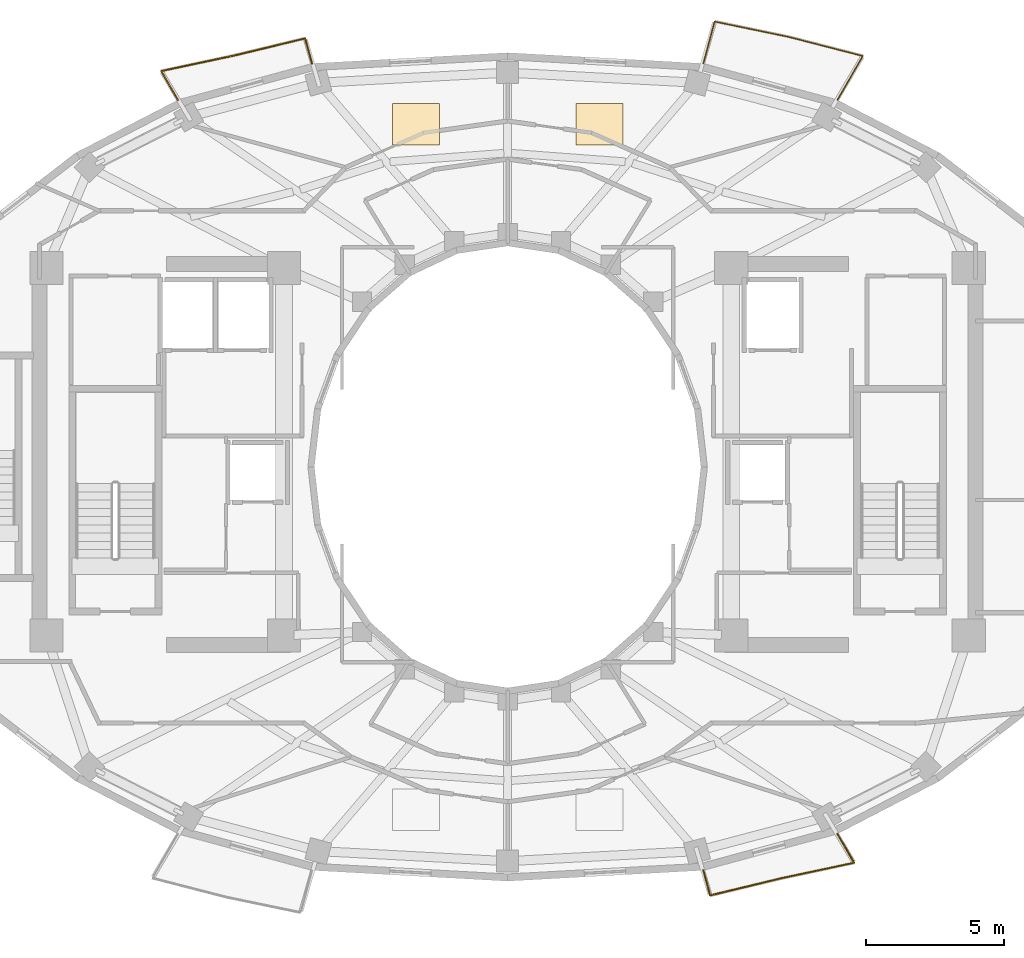
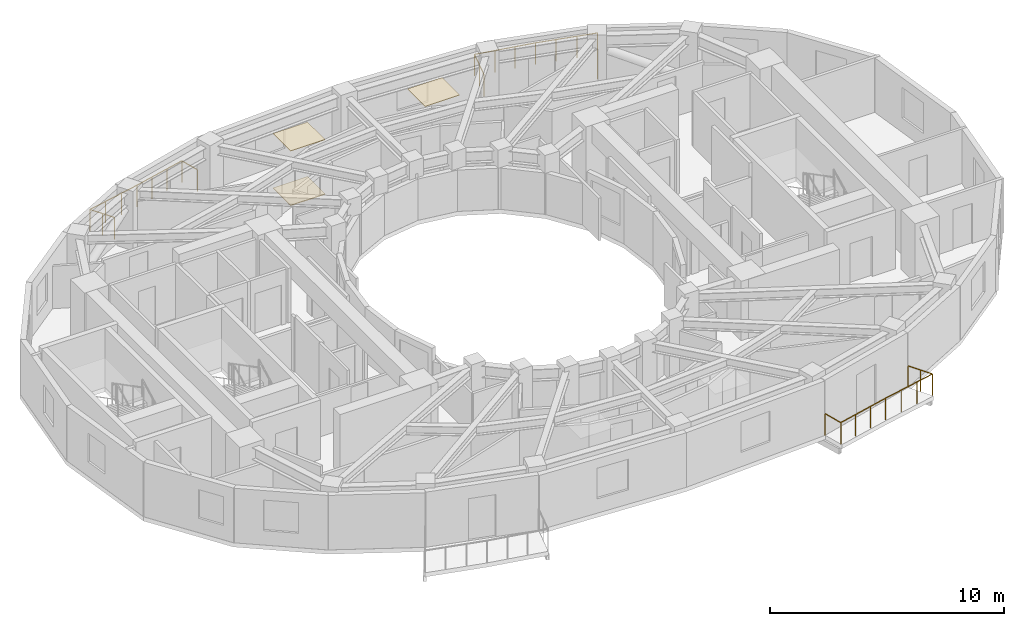
# One storey, part 9 of 10: 3 coverings, 3 railings.
"""IFC4 building model written with IfcOpenShell, lengths in metres."""

from ifc_helpers import new_model, si_unit, direction, frame, origin, origin_2d, place, context, subcontext, project, spatial, polyline, circle, outline, extrude, material, layer, layer_set, type_object, element, save


model = new_model("IFC4")

# Units and contexts
model_context = context("Model", 3, precision=1e-05, world=origin(), true_north=direction((0.0, 1.0)))
body_context = subcontext(model_context, "Body", "Model", "MODEL_VIEW")
ifc_project = project(units=[si_unit("LENGTHUNIT", "METRE"), si_unit("AREAUNIT", "SQUARE_METRE"), si_unit("VOLUMEUNIT", "CUBIC_METRE"), si_unit("PLANEANGLEUNIT", "RADIAN"), si_unit("MASSUNIT", "GRAM", prefix="KILO")], contexts=[model_context])

# Site, building, storey
site_placement = place(None, origin())
site = spatial("IfcSite", under=ifc_project, at=site_placement, CompositionType="ELEMENT")
building_placement = place(site_placement, origin())
building = spatial("IfcBuilding", under=site, at=building_placement, Name="Solvane Sanctuary Tower", CompositionType="ELEMENT")
storey_placement = place(building_placement, frame((0.0, 0.0, 204.699951171875)))
storey = spatial("IfcBuildingStorey", under=building, at=storey_placement, Name="L62", CompositionType="ELEMENT", Elevation=204.699951171875)

# Coverings
ifc_material_1 = material(Name="Acoustic Gypsum Partition Board")
ifc_layer_1 = layer(ifc_material_1, 0.02490234375, Name="Acoustic Gypsum Partition Board")
ifc_layer_set_1 = layer_set([ifc_layer_1], Name="Acoustic Gypsum Partition Board")
covering_type_1 = type_object("IfcCoveringType", Name="Covering CLG-ACOUST", PredefinedType="CEILING", material=ifc_layer_set_1)
covering_1_placement = place(storey_placement, frame((0.0, 0.0, 2.85009765625)))
element("IfcCovering", 1, at=covering_1_placement, inside=storey, type_object=covering_type_1, Name="L62 Unit Acoustic Ceiling Panel 1", PredefinedType="CEILING", context=body_context, shape_type="SweptSolid", body=[
    extrude(outline(polyline([(34.47607421875, 34.662109375), (36.176025390625, 34.662109375), (36.176025390625, 36.162109375), (34.47607421875, 36.162109375), (34.47607421875, 34.662109375)])), origin(), (0.0, 0.0, 1.0), 0.030029296875),
])
covering_2_placement = place(storey_placement, frame((0.0, 0.0, 2.85009765625)))
element("IfcCovering", 2, at=covering_2_placement, inside=storey, type_object=covering_type_1, Name="L62 Unit Acoustic Ceiling Panel 2", PredefinedType="CEILING", context=body_context, shape_type="SweptSolid", body=[
    extrude(outline(polyline([(27.823974609375, 34.662109375), (29.52392578125, 34.662109375), (29.52392578125, 36.162109375), (27.823974609375, 36.162109375), (27.823974609375, 34.662109375)])), origin(), (0.0, 0.0, 1.0), 0.030029296875),
])
ifc_material_2 = material(Name="Ceramic Tile Finish")
ifc_layer_2 = layer(ifc_material_2, 0.030029296875, Name="Ceramic Tile Finish")
ifc_layer_set_2 = layer_set([ifc_layer_2], Name="Ceramic Tile Finish")
covering_type_2 = type_object("IfcCoveringType", Name="Covering FLR-TERRAZZO", PredefinedType="FLOORING", material=ifc_layer_set_2)
covering_3_placement = place(storey_placement, origin())
element("IfcCovering", 3, at=covering_3_placement, inside=storey, type_object=covering_type_2, Name="L62 Unit Terrazzo Inlay 2", PredefinedType="FLOORING", context=body_context, shape_type="SweptSolid", body=[
    extrude(outline(polyline([(27.823974609375, 34.662109375), (29.52392578125, 34.662109375), (29.52392578125, 36.162109375), (27.823974609375, 36.162109375), (27.823974609375, 34.662109375)])), origin(), (0.0, 0.0, 1.0), 0.03515625),
])

# Railings
ifc_material_3 = material(Name="Architectural Stainless Steel 316", Category="steel")
railing_type = type_object("IfcRailingType", Name="Railing GR-BALC-1150", PredefinedType="BALUSTRADE", material=ifc_material_3)
railing_1_placement = place(storey_placement, frame((43.946044921875, 36.29052734375, 0.0)))
element("IfcRailing", 4, at=railing_1_placement, inside=storey, type_object=railing_type, Name="L62 Wave Balcony Balustrade N1", PredefinedType="BALUSTRADE", context=body_context, shape_type="SweptSolid", body=[
    extrude(circle(Radius=0.02392578125, at=origin_2d()), frame((0.0, 0.0, 1.1259765625), z_axis=(0.5000827969, 0.865977595694, 0.0), x_axis=(-0.865977595694, 0.5000827969, 0.0)), (0.0, 0.0, 1.0), 1.837646484375),
    extrude(circle(Radius=0.02392578125, at=origin_2d()), frame((0.9189453125, 1.59130859375, 1.1259765625), z_axis=(-0.968457008619, 0.249180702418, 0.0), x_axis=(-0.249180702418, -0.968457008619, 0.0)), (0.0, 0.0, 1.0), 2.763916015625),
    extrude(circle(Radius=0.02392578125, at=origin_2d()), frame((-1.7578125, 2.280029296875, 1.1259765625), z_axis=(-0.979173479135, 0.203025362355, 0.0), x_axis=(-0.203025362355, -0.979173479135, 0.0)), (0.0, 0.0, 1.0), 2.750244140625),
    extrude(circle(Radius=0.02392578125, at=origin_2d()), frame((-4.45068359375, 2.83837890625, 1.1259765625), z_axis=(-0.258860199722, -0.965914798002, 0.0), x_axis=(0.965914798002, -0.258860199722, 0.0)), (0.0, 0.0, 1.0), 1.5732421875),
    extrude(circle(Radius=0.02099609375, at=origin_2d()), origin(), (0.0, 0.0, 1.0), 1.101806640625),
    extrude(circle(Radius=0.02099609375, at=origin_2d()), frame((0.45947265625, 0.795654296875, 0.0)), (0.0, 0.0, 1.0), 1.101806640625),
    extrude(circle(Radius=0.02099609375, at=origin_2d()), frame((0.9189453125, 1.59130859375, 0.0)), (0.0, 0.0, 1.0), 1.101806640625),
    extrude(circle(Radius=0.02099609375, at=origin_2d()), frame((0.026611328125, 1.82080078125, 0.0)), (0.0, 0.0, 1.0), 1.101806640625),
    extrude(circle(Radius=0.02099609375, at=origin_2d()), frame((-0.865478515625, 2.050537109375, 0.0)), (0.0, 0.0, 1.0), 1.101806640625),
    extrude(circle(Radius=0.02099609375, at=origin_2d()), frame((-1.7578125, 2.280029296875, 0.0)), (0.0, 0.0, 1.0), 1.101806640625),
    extrude(circle(Radius=0.02099609375, at=origin_2d()), frame((-2.655517578125, 2.466064453125, 0.0)), (0.0, 0.0, 1.0), 1.101806640625),
    extrude(circle(Radius=0.02099609375, at=origin_2d()), frame((-3.552978515625, 2.65234375, 0.0)), (0.0, 0.0, 1.0), 1.101806640625),
    extrude(circle(Radius=0.02099609375, at=origin_2d()), frame((-4.45068359375, 2.83837890625, 0.0)), (0.0, 0.0, 1.0), 1.101806640625),
    extrude(circle(Radius=0.02099609375, at=origin_2d()), frame((-4.654296875, 2.07861328125, 0.0)), (0.0, 0.0, 1.0), 1.101806640625),
    extrude(circle(Radius=0.02099609375, at=origin_2d()), frame((-4.85791015625, 1.31884765625, 0.0)), (0.0, 0.0, 1.0), 1.101806640625),
])
railing_2_placement = place(storey_placement, frame((24.911865234375, 37.609375, 0.0)))
element("IfcRailing", 5, at=railing_2_placement, inside=storey, type_object=railing_type, Name="L62 Wave Balcony Balustrade N2", PredefinedType="BALUSTRADE", context=body_context, shape_type="SweptSolid", body=[
    extrude(circle(Radius=0.02392578125, at=origin_2d()), frame((0.0, 0.0, 1.1259765625), z_axis=(-0.258774928549, 0.965937646204, 0.0), x_axis=(-0.965937646204, -0.258774928549, 0.0)), (0.0, 0.0, 1.0), 0.9423828125),
    extrude(circle(Radius=0.02392578125, at=origin_2d()), frame((-0.243896484375, 0.910400390625, 1.1259765625), z_axis=(-0.97211333952, -0.234511524508, 0.0), x_axis=(0.234511524508, -0.97211333952, 0.0)), (0.0, 0.0, 1.0), 2.651611328125),
    extrude(circle(Radius=0.02392578125, at=origin_2d()), frame((-2.821533203125, 0.28857421875, 1.1259765625), z_axis=(-0.978062424642, -0.208312009983, 0.0), x_axis=(0.208312009983, -0.978062424642, 0.0)), (0.0, 0.0, 1.0), 2.69921875),
    extrude(circle(Radius=0.02392578125, at=origin_2d()), frame((-5.46142578125, -0.273681640625, 1.1259765625), z_axis=(0.500055147301, -0.865993562134, 0.0), x_axis=(0.865993562134, 0.500055147301, 0.0)), (0.0, 0.0, 1.0), 1.206787109375),
    extrude(circle(Radius=0.02099609375, at=origin_2d()), origin(), (0.0, 0.0, 1.0), 1.101806640625),
    extrude(circle(Radius=0.02099609375, at=origin_2d()), frame((-0.243896484375, 0.910400390625, 0.0)), (0.0, 0.0, 1.0), 1.101806640625),
    extrude(circle(Radius=0.02099609375, at=origin_2d()), frame((-1.10302734375, 0.703125, 0.0)), (0.0, 0.0, 1.0), 1.101806640625),
    extrude(circle(Radius=0.02099609375, at=origin_2d()), frame((-1.96240234375, 0.495849609375, 0.0)), (0.0, 0.0, 1.0), 1.101806640625),
    extrude(circle(Radius=0.02099609375, at=origin_2d()), frame((-2.821533203125, 0.28857421875, 0.0)), (0.0, 0.0, 1.0), 1.101806640625),
    extrude(circle(Radius=0.02099609375, at=origin_2d()), frame((-3.701416015625, 0.10107421875, 0.0)), (0.0, 0.0, 1.0), 1.101806640625),
    extrude(circle(Radius=0.02099609375, at=origin_2d()), frame((-4.58154296875, -0.086181640625, 0.0)), (0.0, 0.0, 1.0), 1.101806640625),
    extrude(circle(Radius=0.02099609375, at=origin_2d()), frame((-5.46142578125, -0.273681640625, 0.0)), (0.0, 0.0, 1.0), 1.101806640625),
    extrude(circle(Radius=0.02099609375, at=origin_2d()), frame((-5.15966796875, -0.79638671875, 0.0)), (0.0, 0.0, 1.0), 1.101806640625),
    extrude(circle(Radius=0.02099609375, at=origin_2d()), frame((-4.85791015625, -1.31884765625, 0.0)), (0.0, 0.0, 1.0), 1.101806640625),
])
railing_3_placement = place(storey_placement, frame((39.088134765625, 8.390625, 0.0)))
element("IfcRailing", 6, at=railing_3_placement, inside=storey, type_object=railing_type, Name="L62 Wave Balcony Balustrade S2", PredefinedType="BALUSTRADE", context=body_context, shape_type="SweptSolid", body=[
    extrude(circle(Radius=0.02392578125, at=origin_2d()), frame((0.0, 0.0, 1.1259765625), z_axis=(0.258774928549, -0.965937646204, 0.0), x_axis=(0.965937646204, 0.258774928549, 0.0)), (0.0, 0.0, 1.0), 0.9423828125),
    extrude(circle(Radius=0.02392578125, at=origin_2d()), frame((0.243896484375, -0.910400390625, 1.1259765625), z_axis=(0.97211333952, 0.234511524508, 0.0), x_axis=(-0.234511524508, 0.97211333952, 0.0)), (0.0, 0.0, 1.0), 2.651611328125),
    extrude(circle(Radius=0.02392578125, at=origin_2d()), frame((2.821533203125, -0.28857421875, 1.1259765625), z_axis=(0.978062424642, 0.208312009983, 0.0), x_axis=(-0.208312009983, 0.978062424642, 0.0)), (0.0, 0.0, 1.0), 2.69921875),
    extrude(circle(Radius=0.02392578125, at=origin_2d()), frame((5.46142578125, 0.273681640625, 1.1259765625), z_axis=(-0.500055147301, 0.865993562134, 0.0), x_axis=(-0.865993562134, -0.500055147301, 0.0)), (0.0, 0.0, 1.0), 1.206787109375),
    extrude(circle(Radius=0.02099609375, at=origin_2d()), origin(), (0.0, 0.0, 1.0), 1.101806640625),
    extrude(circle(Radius=0.02099609375, at=origin_2d()), frame((0.243896484375, -0.910400390625, 0.0)), (0.0, 0.0, 1.0), 1.101806640625),
    extrude(circle(Radius=0.02099609375, at=origin_2d()), frame((1.10302734375, -0.703125, 0.0)), (0.0, 0.0, 1.0), 1.101806640625),
    extrude(circle(Radius=0.02099609375, at=origin_2d()), frame((1.96240234375, -0.495849609375, 0.0)), (0.0, 0.0, 1.0), 1.101806640625),
    extrude(circle(Radius=0.02099609375, at=origin_2d()), frame((2.821533203125, -0.28857421875, 0.0)), (0.0, 0.0, 1.0), 1.101806640625),
    extrude(circle(Radius=0.02099609375, at=origin_2d()), frame((3.701416015625, -0.10107421875, 0.0)), (0.0, 0.0, 1.0), 1.101806640625),
    extrude(circle(Radius=0.02099609375, at=origin_2d()), frame((4.58154296875, 0.086181640625, 0.0)), (0.0, 0.0, 1.0), 1.101806640625),
    extrude(circle(Radius=0.02099609375, at=origin_2d()), frame((5.46142578125, 0.273681640625, 0.0)), (0.0, 0.0, 1.0), 1.101806640625),
    extrude(circle(Radius=0.02099609375, at=origin_2d()), frame((5.15966796875, 0.79638671875, 0.0)), (0.0, 0.0, 1.0), 1.101806640625),
    extrude(circle(Radius=0.02099609375, at=origin_2d()), frame((4.85791015625, 1.31884765625, 0.0)), (0.0, 0.0, 1.0), 1.101806640625),
])

save(model, "model.ifc")
